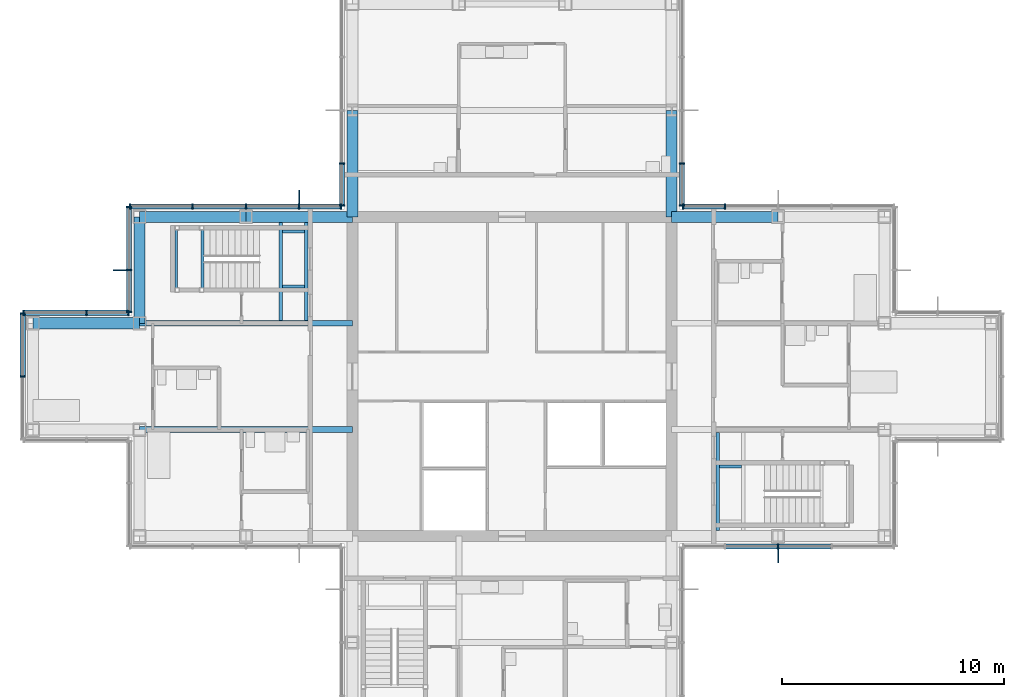
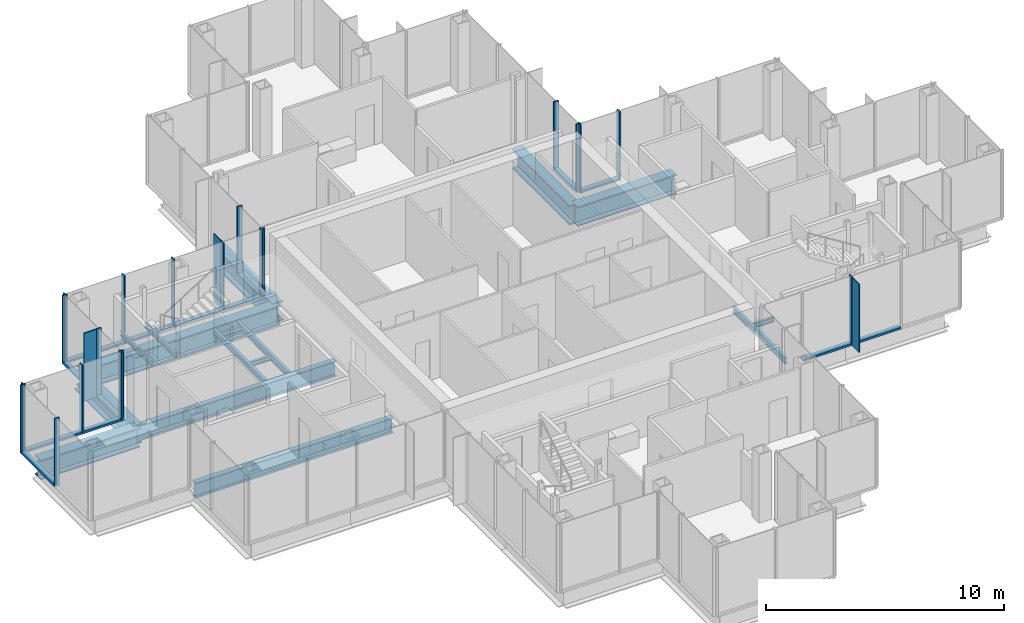
# One storey, part 7 of 17: 37 members, 17 beams, 8 elements without a shape of their own.
"""IFC4 building model written with IfcOpenShell, lengths in metres."""

import ifcopenshell
import ifcopenshell.guid

model = None  # the IFC model being written
_history = None  # IfcOwnerHistory: only IFC2X3 demands one
_inside = {}  # id of a spatial element -> (the spatial element, [elements in it])
_under = {}  # id of a project, library or spatial element -> (it, [spatial elements below it])
_declared = {}  # id of a project -> (the project, [libraries it declares])
_typed = {}  # id of a type object -> (the type object, [elements of that type])
_made_of = {}  # id of a material, layer set ... -> (it, [elements and type objects made of it])


def new_model(schema):
    """Start an empty IFC model of exactly this schema.

    Asked for "IFC4X3", IfcOpenShell would pick the latest addendum, in which some entities
    have other attributes; the version numbers below select the first issue.
    IFC2X3 requires an IfcOwnerHistory on every rooted entity: one is made here for all.
    """
    global model, _history
    if schema == "IFC4X3":
        model = ifcopenshell.file(schema_version=(4, 3, 0, 0))
    else:
        model = ifcopenshell.file(schema=schema)
    _inside.clear()
    _under.clear()
    _declared.clear()
    _typed.clear()
    _made_of.clear()
    _history = None
    if model.schema == "IFC2X3":
        org = make("IfcOrganization", Name="unknown")
        user = make(
            "IfcPersonAndOrganization",
            ThePerson=make("IfcPerson", FamilyName="unknown"),
            TheOrganization=org,
        )
        app = make(
            "IfcApplication",
            ApplicationDeveloper=org,
            Version="unknown",
            ApplicationFullName="unknown",
            ApplicationIdentifier="unknown",
        )
        _history = make(
            "IfcOwnerHistory",
            OwningUser=user,
            OwningApplication=app,
            ChangeAction="ADDED",
            CreationDate=0,
        )
    return model


def make(cls, **values):
    """One entity of the class cls with the attributes given. An attribute that is None is left unset."""
    return model.create_entity(
        cls, **{name: value for name, value in values.items() if value is not None}
    )


def rooted(cls, **values):
    """An entity with a GlobalId (a new one), such as an element, a storey or a relation."""
    return make(cls, GlobalId=ifcopenshell.guid.new(), OwnerHistory=_history, **values)


def si_unit(unit_type, name, prefix=None):
    """IfcSIUnit, for example si_unit("LENGTHUNIT", "METRE", prefix="MILLI")."""
    return make("IfcSIUnit", UnitType=unit_type, Prefix=prefix, Name=name)


def assignment(units):
    """IfcUnitAssignment: the units of a project."""
    return None if units is None else make("IfcUnitAssignment", Units=units)


def point(xyz):
    """IfcCartesianPoint."""
    return None if xyz is None else make("IfcCartesianPoint", Coordinates=xyz)


def direction(xyz):
    """IfcDirection."""
    return None if xyz is None else make("IfcDirection", DirectionRatios=xyz)


def frame(location, z_axis=None, x_axis=None):
    """IfcAxis2Placement3D, a coordinate frame: its origin and axes. An axis left out is left unset."""
    return make(
        "IfcAxis2Placement3D",
        Location=point(location),
        Axis=direction(z_axis),
        RefDirection=direction(x_axis),
    )


def frame_2d(location, x_axis=None):
    """IfcAxis2Placement2D, a coordinate frame in the plane: its origin and x axis."""
    return make(
        "IfcAxis2Placement2D", Location=point(location), RefDirection=direction(x_axis)
    )


def origin():
    """The frame at (0, 0, 0) with its axes left unset."""
    return frame((0.0, 0.0, 0.0))


def origin_2d():
    """The frame at (0, 0) in the plane with its x axis left unset."""
    return frame_2d((0.0, 0.0))


def place(relative_to, where):
    """IfcLocalPlacement: puts the frame where relative to a parent placement (None: the world)."""
    return make(
        "IfcLocalPlacement", PlacementRelTo=relative_to, RelativePlacement=where
    )


def context(
    kind, dimensions, precision=None, world=None, true_north=None, identifier=None
):
    """IfcGeometricRepresentationContext, for example the 3D "Model" context."""
    return make(
        "IfcGeometricRepresentationContext",
        ContextIdentifier=identifier,
        ContextType=kind,
        CoordinateSpaceDimension=dimensions,
        Precision=precision,
        WorldCoordinateSystem=world,
        TrueNorth=true_north,
    )


def subcontext(parent, identifier, kind, view, scale=None):
    """IfcGeometricRepresentationSubContext, for example "Body" below "Model"."""
    return make(
        "IfcGeometricRepresentationSubContext",
        ContextIdentifier=identifier,
        ContextType=kind,
        ParentContext=parent,
        TargetScale=scale,
        TargetView=view,
    )


def project(units=None, contexts=None):
    """IfcProject with its units and contexts."""
    return rooted(
        "IfcProject",
        Name="project",
        RepresentationContexts=contexts,
        UnitsInContext=assignment(units),
    )


def spatial(cls, under=None, at=None, **own):
    """A site, building, storey or space (cls), placed at a placement, below another one or the project."""
    s = rooted(cls, ObjectPlacement=at, **own)
    if under is not None:
        _under.setdefault(under.id(), (under, []))[1].append(s)
    return s


def profile(cls, at=None, kind="AREA", **sizes):
    """A parametric profile (cls). Its sizes go by their IFC names, for example OverallWidth=200.0."""
    return make(cls, ProfileType=kind, Position=at, **sizes)


def rectangle(**sizes):
    """IfcRectangleProfileDef."""
    return profile("IfcRectangleProfileDef", **sizes)


def i_section(**sizes):
    """IfcIShapeProfileDef."""
    return profile("IfcIShapeProfileDef", **sizes)


def extrude(swept, where, along, depth):
    """IfcExtrudedAreaSolid: the profile swept, set in the frame where, extruded along a direction by depth."""
    return make(
        "IfcExtrudedAreaSolid",
        SweptArea=swept,
        Position=where,
        ExtrudedDirection=direction(along),
        Depth=depth,
    )


def shape(context_of_items, identifier, shape_type, items):
    """IfcShapeRepresentation: the items that make up one representation, for example the "Body"."""
    return make(
        "IfcShapeRepresentation",
        ContextOfItems=context_of_items,
        RepresentationIdentifier=identifier,
        RepresentationType=shape_type,
        Items=items,
    )


def material(Name=None, Category=None):
    """IfcMaterial."""
    return make("IfcMaterial", Name=Name, Category=Category)


def material_profile(
    of_material, cross_section, Name=None, Category=None, Priority=None
):
    """IfcMaterialProfile: a cross section and its material."""
    return make(
        "IfcMaterialProfile",
        Name=Name,
        Material=of_material,
        Profile=cross_section,
        Priority=Priority,
        Category=Category,
    )


def profile_set(profiles, Name=None, composite=None):
    """IfcMaterialProfileSet."""
    return make(
        "IfcMaterialProfileSet",
        Name=Name,
        MaterialProfiles=profiles,
        CompositeProfile=composite,
    )


def made_of(thing, what):
    """Note that an element or type object is made of a material, layer set ...; save() writes the relation."""
    if what is not None:
        _made_of.setdefault(what.id(), (what, []))[1].append(thing)
    return thing


def type_object(cls, material=None, **own):
    """A type object (cls), such as IfcWallType, which elements share."""
    return made_of(rooted(cls, **own), material)


def element(
    cls,
    number,
    at=None,
    inside=None,
    cuts=None,
    type_object=None,
    material=None,
    context=None,
    identifier="Body",
    shape_type=None,
    held_by="IfcProductDefinitionShape",
    body=None,
    shapes=None,
    **own,
):
    """One element of the class cls, such as IfcWall. Its Tag is "e" and its number.

    at: its placement. inside: the storey or other place that contains it. cuts: it is an
    opening in that element (IfcRelVoidsElement). A single representation is given by context,
    identifier, shape_type and body (its items); several are given by shapes. held_by: the class
    of the entity that holds the representations. save() writes the other relations.
    """
    e = rooted(cls, Tag="e%d" % number, ObjectPlacement=at, **own)
    if body is not None:
        shapes = [shape(context, identifier, shape_type, body)]
    if shapes is not None:
        e.Representation = make(held_by, Representations=shapes)
    if inside is not None:
        _inside.setdefault(inside.id(), (inside, []))[1].append(e)
    if cuts is not None:
        rooted(
            "IfcRelVoidsElement", RelatingBuildingElement=cuts, RelatedOpeningElement=e
        )
    if type_object is not None:
        _typed.setdefault(type_object.id(), (type_object, []))[1].append(e)
    return made_of(e, material)


def aggregate(whole, parts):
    """IfcRelAggregates: a whole, such as a stair, and the parts it consists of."""
    return rooted("IfcRelAggregates", RelatingObject=whole, RelatedObjects=parts)


def save(model, path):
    """Write the relations noted so far, then the file.

    IfcRelAggregates (storeys below a building ...), IfcRelContainedInSpatialStructure (elements
    in a storey), IfcRelDefinesByType, IfcRelAssociatesMaterial and IfcRelDeclares: one each for
    every whole, place, type object, material and project.
    """
    for whole, parts in _under.values():
        aggregate(whole, parts)
    for where, things in _inside.values():
        rooted(
            "IfcRelContainedInSpatialStructure",
            RelatedElements=things,
            RelatingStructure=where,
        )
    for kind, things in _typed.values():
        rooted("IfcRelDefinesByType", RelatedObjects=things, RelatingType=kind)
    for what, things in _made_of.values():
        rooted("IfcRelAssociatesMaterial", RelatedObjects=things, RelatingMaterial=what)
    for by, libraries in _declared.values():
        rooted("IfcRelDeclares", RelatingContext=by, RelatedDefinitions=libraries)
    model.write(path)


model = new_model("IFC4")

# Units and contexts
model_context = context("Model", 3, precision=1e-05, world=origin(), true_north=direction((0.0, 1.0)))
body_context = subcontext(model_context, "Body", "Model", "MODEL_VIEW")
ifc_project = project(units=[si_unit("LENGTHUNIT", "METRE"), si_unit("AREAUNIT", "SQUARE_METRE"), si_unit("VOLUMEUNIT", "CUBIC_METRE"), si_unit("PLANEANGLEUNIT", "RADIAN"), si_unit("MASSUNIT", "GRAM", prefix="KILO")], contexts=[model_context])

# Site, building, storey
site_placement = place(None, origin())
site = spatial("IfcSite", under=ifc_project, at=site_placement, CompositionType="ELEMENT")
building_placement = place(site_placement, origin())
building = spatial("IfcBuilding", under=site, at=building_placement, Name="Kvirike Care Tower", CompositionType="ELEMENT")
storey_placement = place(building_placement, frame((0.0, 0.0, 158.5)))
storey = spatial("IfcBuildingStorey", under=building, at=storey_placement, Name="L43", CompositionType="ELEMENT", Elevation=158.5)

# Curtain wall, member
ifc_material_1 = material(Name="Anodised aluminium stick system", Category="aluminium")
curtain_wall_type = type_object("IfcCurtainWallType", Name="CW-C STICK CURTAIN WALL", PredefinedType="NOTDEFINED", material=ifc_material_1)
curtain_wall_1_placement = place(storey_placement, origin())
curtain_wall_1 = element("IfcCurtainWall", 1, at=curtain_wall_1_placement, inside=storey, type_object=curtain_wall_type, Name="Curtain wall L43 face 1", PredefinedType="NOTDEFINED")
ifc_material_2 = material(Name="Bronze anodised aluminium fin", Category="aluminium")
ifc_material_profile_1 = material_profile(ifc_material_2, rectangle(XDim=0.050048828125, YDim=0.60009765625, at=origin_2d()), Name="BRONZE FIN 600")
ifc_profile_set_1 = profile_set([ifc_material_profile_1], Name="Bronze anodised aluminium fin")
member_type_1 = type_object("IfcMemberType", Name="BRONZE FIN 600", PredefinedType="USERDEFINED", material=ifc_profile_set_1)
member_1_placement = place(storey_placement, frame((33.60009765625, 27.909912109375, 0.0), z_axis=(0.0, 0.0, 1.0), x_axis=(1.0, 0.0, 0.0)))
member_1 = element("IfcMember", 2, at=member_1_placement, type_object=member_type_1, Name="Bronze fin L43 face 1.3", ObjectType="FIN", PredefinedType="USERDEFINED", context=body_context, shape_type="SweptSolid", body=[
    extrude(rectangle(XDim=0.050048828125, YDim=0.60009765625, at=origin_2d()), origin(), (0.0, 0.0, 1.0), 3.5),
])

curtain_wall_2_placement = place(storey_placement, origin())
curtain_wall_2 = element("IfcCurtainWall", 3, at=curtain_wall_2_placement, inside=storey, type_object=curtain_wall_type, Name="Curtain wall L43 face 15", PredefinedType="NOTDEFINED")
member_2_placement = place(storey_placement, frame((12.0, 44.090087890625, 0.0), z_axis=(0.0, 0.0, 1.0), x_axis=(-1.0, 0.0, 0.0)))
member_2 = element("IfcMember", 4, at=member_2_placement, type_object=member_type_1, Name="Bronze fin L43 face 15.2", ObjectType="FIN", PredefinedType="USERDEFINED", context=body_context, shape_type="SweptSolid", body=[
    extrude(rectangle(XDim=0.050048828125, YDim=0.60009765625, at=origin_2d()), origin(), (0.0, 0.0, 1.0), 3.5),
])

curtain_wall_3_placement = place(storey_placement, origin())
curtain_wall_3 = element("IfcCurtainWall", 5, at=curtain_wall_3_placement, inside=storey, type_object=curtain_wall_type, Name="Curtain wall L43 face 16", PredefinedType="NOTDEFINED")
member_3_placement = place(storey_placement, frame((3.909912109375, 40.800048828125, 0.0), z_axis=(0.0, 0.0, 1.0), x_axis=(0.0, -1.0, 0.0)))
member_3 = element("IfcMember", 6, at=member_3_placement, type_object=member_type_1, Name="Bronze fin L43 face 16.2", ObjectType="FIN", PredefinedType="USERDEFINED", context=body_context, shape_type="SweptSolid", body=[
    extrude(rectangle(XDim=0.050048828125, YDim=0.60009765625, at=origin_2d()), origin(), (0.0, 0.0, 1.0), 3.5),
])

# Member
ifc_material_3 = material(Name="Bronze anodised aluminium mullion", Category="aluminium")
ifc_material_profile_2 = material_profile(ifc_material_3, rectangle(XDim=0.06494140625, YDim=0.239990234375, at=origin_2d()), Name="CW-C MULLION 65x240")
ifc_profile_set_2 = profile_set([ifc_material_profile_2], Name="Bronze anodised aluminium mullion")
member_type_2 = type_object("IfcMemberType", Name="CW-C MULLION 65x240", PredefinedType="MULLION", material=ifc_profile_set_2)
member_4_placement = place(storey_placement, frame((33.60009765625, 28.330078125, 0.0), z_axis=(0.0, 0.0, 1.0), x_axis=(1.0, 0.0, 0.0)))
member_4 = element("IfcMember", 7, at=member_4_placement, type_object=member_type_2, Name="CW-C mullion L43 face 1.3", PredefinedType="MULLION", context=body_context, shape_type="SweptSolid", body=[
    extrude(rectangle(XDim=0.06494140625, YDim=0.239990234375, at=origin_2d()), origin(), (0.0, 0.0, 1.0), 3.5),
])

# Curtain wall, members
curtain_wall_4_placement = place(storey_placement, origin())
curtain_wall_4 = element("IfcCurtainWall", 8, at=curtain_wall_4_placement, inside=storey, type_object=curtain_wall_type, Name="Curtain wall L43 face 7", PredefinedType="NOTDEFINED")
member_5_placement = place(storey_placement, frame((31.199951171875, 43.669921875, 0.0), z_axis=(0.0, 0.0, 1.0), x_axis=(-1.0, 0.0, 0.0)))
member_5 = element("IfcMember", 9, at=member_5_placement, type_object=member_type_2, Name="CW-C mullion L43 face 7.4", PredefinedType="MULLION", context=body_context, shape_type="SweptSolid", body=[
    extrude(rectangle(XDim=0.06494140625, YDim=0.239990234375, at=origin_2d()), origin(), (0.0, 0.0, 1.0), 3.5),
])
member_6_placement = place(storey_placement, frame((29.302490234375, 43.669921875, 0.0), z_axis=(0.0, 0.0, 1.0), x_axis=(-1.0, 0.0, 0.0)))
member_6 = element("IfcMember", 10, at=member_6_placement, type_object=member_type_2, Name="CW-C mullion L43 face 7.5", PredefinedType="MULLION", context=body_context, shape_type="SweptSolid", body=[
    extrude(rectangle(XDim=0.06494140625, YDim=0.239990234375, at=origin_2d()), origin(), (0.0, 0.0, 1.0), 3.5),
])

curtain_wall_5_placement = place(storey_placement, origin())
curtain_wall_5 = element("IfcCurtainWall", 11, at=curtain_wall_5_placement, inside=storey, type_object=curtain_wall_type, Name="Curtain wall L43 face 8", PredefinedType="NOTDEFINED")
member_7_placement = place(storey_placement, frame((29.27001953125, 43.702392578125, 0.0), z_axis=(0.0, 0.0, 1.0), x_axis=(0.0, 1.0, 0.0)))
member_7 = element("IfcMember", 12, at=member_7_placement, type_object=member_type_2, Name="CW-C mullion L43 face 8.1", PredefinedType="MULLION", context=body_context, shape_type="SweptSolid", body=[
    extrude(rectangle(XDim=0.06494140625, YDim=0.239990234375, at=origin_2d()), origin(), (0.0, 0.0, 1.0), 3.5),
])
member_8_placement = place(storey_placement, frame((29.27001953125, 45.60009765625, 0.0), z_axis=(0.0, 0.0, 1.0), x_axis=(0.0, 1.0, 0.0)))
member_8 = element("IfcMember", 13, at=member_8_placement, type_object=member_type_2, Name="CW-C mullion L43 face 8.2", PredefinedType="MULLION", context=body_context, shape_type="SweptSolid", body=[
    extrude(rectangle(XDim=0.06494140625, YDim=0.239990234375, at=origin_2d()), origin(), (0.0, 0.0, 1.0), 3.5),
])

curtain_wall_6_placement = place(storey_placement, origin())
curtain_wall_6 = element("IfcCurtainWall", 14, at=curtain_wall_6_placement, inside=storey, type_object=curtain_wall_type, Name="Curtain wall L43 face 14", PredefinedType="NOTDEFINED")
member_9_placement = place(storey_placement, frame((13.929931640625, 45.60009765625, 0.0), z_axis=(0.0, 0.0, 1.0), x_axis=(0.0, -1.0, 0.0)))
member_9 = element("IfcMember", 15, at=member_9_placement, type_object=member_type_2, Name="CW-C mullion L43 face 14.4", PredefinedType="MULLION", context=body_context, shape_type="SweptSolid", body=[
    extrude(rectangle(XDim=0.06494140625, YDim=0.239990234375, at=origin_2d()), origin(), (0.0, 0.0, 1.0), 3.5),
])
member_10_placement = place(storey_placement, frame((13.929931640625, 43.702392578125, 0.0), z_axis=(0.0, 0.0, 1.0), x_axis=(0.0, -1.0, 0.0)))
member_10 = element("IfcMember", 16, at=member_10_placement, type_object=member_type_2, Name="CW-C mullion L43 face 14.5", PredefinedType="MULLION", context=body_context, shape_type="SweptSolid", body=[
    extrude(rectangle(XDim=0.06494140625, YDim=0.239990234375, at=origin_2d()), origin(), (0.0, 0.0, 1.0), 3.5),
])

# Member
member_11_placement = place(storey_placement, frame((13.8974609375, 43.669921875, 0.0), z_axis=(0.0, 0.0, 1.0), x_axis=(-1.0, 0.0, 0.0)))
member_11 = element("IfcMember", 17, at=member_11_placement, type_object=member_type_2, Name="CW-C mullion L43 face 15.1", PredefinedType="MULLION", context=body_context, shape_type="SweptSolid", body=[
    extrude(rectangle(XDim=0.06494140625, YDim=0.239990234375, at=origin_2d()), origin(), (0.0, 0.0, 1.0), 3.5),
])

member_12_placement = place(storey_placement, frame((12.0, 43.669921875, 0.0), z_axis=(0.0, 0.0, 1.0), x_axis=(-1.0, 0.0, 0.0)))
member_12 = element("IfcMember", 18, at=member_12_placement, type_object=member_type_2, Name="CW-C mullion L43 face 15.2", PredefinedType="MULLION", context=body_context, shape_type="SweptSolid", body=[
    extrude(rectangle(XDim=0.06494140625, YDim=0.239990234375, at=origin_2d()), origin(), (0.0, 0.0, 1.0), 3.5),
])

member_13_placement = place(storey_placement, frame((9.60009765625, 43.669921875, 0.0), z_axis=(0.0, 0.0, 1.0), x_axis=(-1.0, 0.0, 0.0)))
member_13 = element("IfcMember", 19, at=member_13_placement, type_object=member_type_2, Name="CW-C mullion L43 face 15.3", PredefinedType="MULLION", context=body_context, shape_type="SweptSolid", body=[
    extrude(rectangle(XDim=0.06494140625, YDim=0.239990234375, at=origin_2d()), origin(), (0.0, 0.0, 1.0), 3.5),
])

member_14_placement = place(storey_placement, frame((7.199951171875, 43.669921875, 0.0), z_axis=(0.0, 0.0, 1.0), x_axis=(-1.0, 0.0, 0.0)))
member_14 = element("IfcMember", 20, at=member_14_placement, type_object=member_type_2, Name="CW-C mullion L43 face 15.4", PredefinedType="MULLION", context=body_context, shape_type="SweptSolid", body=[
    extrude(rectangle(XDim=0.06494140625, YDim=0.239990234375, at=origin_2d()), origin(), (0.0, 0.0, 1.0), 3.5),
])

member_15_placement = place(storey_placement, frame((4.362548828125, 43.669921875, 0.0), z_axis=(0.0, 0.0, 1.0), x_axis=(-1.0, 0.0, 0.0)))
member_15 = element("IfcMember", 21, at=member_15_placement, type_object=member_type_2, Name="CW-C mullion L43 face 15.5", PredefinedType="MULLION", context=body_context, shape_type="SweptSolid", body=[
    extrude(rectangle(XDim=0.06494140625, YDim=0.239990234375, at=origin_2d()), origin(), (0.0, 0.0, 1.0), 3.5),
])

member_16_placement = place(storey_placement, frame((4.330078125, 43.637451171875, 0.0), z_axis=(0.0, 0.0, 1.0), x_axis=(0.0, -1.0, 0.0)))
member_16 = element("IfcMember", 22, at=member_16_placement, type_object=member_type_2, Name="CW-C mullion L43 face 16.1", PredefinedType="MULLION", context=body_context, shape_type="SweptSolid", body=[
    extrude(rectangle(XDim=0.06494140625, YDim=0.239990234375, at=origin_2d()), origin(), (0.0, 0.0, 1.0), 3.5),
])

member_17_placement = place(storey_placement, frame((4.330078125, 40.800048828125, 0.0), z_axis=(0.0, 0.0, 1.0), x_axis=(0.0, -1.0, 0.0)))
member_17 = element("IfcMember", 23, at=member_17_placement, type_object=member_type_2, Name="CW-C mullion L43 face 16.2", PredefinedType="MULLION", context=body_context, shape_type="SweptSolid", body=[
    extrude(rectangle(XDim=0.06494140625, YDim=0.239990234375, at=origin_2d()), origin(), (0.0, 0.0, 1.0), 3.5),
])

member_18_placement = place(storey_placement, frame((4.330078125, 38.902587890625, 0.0), z_axis=(0.0, 0.0, 1.0), x_axis=(0.0, -1.0, 0.0)))
member_18 = element("IfcMember", 24, at=member_18_placement, type_object=member_type_2, Name="CW-C mullion L43 face 16.3", PredefinedType="MULLION", context=body_context, shape_type="SweptSolid", body=[
    extrude(rectangle(XDim=0.06494140625, YDim=0.239990234375, at=origin_2d()), origin(), (0.0, 0.0, 1.0), 3.5),
])

# Curtain wall, members
curtain_wall_7_placement = place(storey_placement, origin())
curtain_wall_7 = element("IfcCurtainWall", 25, at=curtain_wall_7_placement, inside=storey, type_object=curtain_wall_type, Name="Curtain wall L43 face 17", PredefinedType="NOTDEFINED")
member_19_placement = place(storey_placement, frame((4.297607421875, 38.8701171875, 0.0), z_axis=(0.0, 0.0, 1.0), x_axis=(-1.0, 0.0, 0.0)))
member_19 = element("IfcMember", 26, at=member_19_placement, type_object=member_type_2, Name="CW-C mullion L43 face 17.1", PredefinedType="MULLION", context=body_context, shape_type="SweptSolid", body=[
    extrude(rectangle(XDim=0.06494140625, YDim=0.239990234375, at=origin_2d()), origin(), (0.0, 0.0, 1.0), 3.5),
])
member_20_placement = place(storey_placement, frame((2.39990234375, 38.8701171875, 0.0), z_axis=(0.0, 0.0, 1.0), x_axis=(-1.0, 0.0, 0.0)))
member_20 = element("IfcMember", 27, at=member_20_placement, type_object=member_type_2, Name="CW-C mullion L43 face 17.2", PredefinedType="MULLION", context=body_context, shape_type="SweptSolid", body=[
    extrude(rectangle(XDim=0.06494140625, YDim=0.239990234375, at=origin_2d()), origin(), (0.0, 0.0, 1.0), 3.5),
])
member_21_placement = place(storey_placement, frame((-0.4375, 38.8701171875, 0.0), z_axis=(0.0, 0.0, 1.0), x_axis=(-1.0, 0.0, 0.0)))
member_21 = element("IfcMember", 28, at=member_21_placement, type_object=member_type_2, Name="CW-C mullion L43 face 17.3", PredefinedType="MULLION", context=body_context, shape_type="SweptSolid", body=[
    extrude(rectangle(XDim=0.06494140625, YDim=0.239990234375, at=origin_2d()), origin(), (0.0, 0.0, 1.0), 3.5),
])

curtain_wall_8_placement = place(storey_placement, origin())
curtain_wall_8 = element("IfcCurtainWall", 29, at=curtain_wall_8_placement, inside=storey, type_object=curtain_wall_type, Name="Curtain wall L43 face 18", PredefinedType="NOTDEFINED")
member_22_placement = place(storey_placement, frame((-0.469970703125, 38.83740234375, 0.0), z_axis=(0.0, 0.0, 1.0), x_axis=(0.0, -1.0, 0.0)))
member_22 = element("IfcMember", 30, at=member_22_placement, type_object=member_type_2, Name="CW-C mullion L43 face 18.1", PredefinedType="MULLION", context=body_context, shape_type="SweptSolid", body=[
    extrude(rectangle(XDim=0.06494140625, YDim=0.239990234375, at=origin_2d()), origin(), (0.0, 0.0, 1.0), 3.5),
])
member_23_placement = place(storey_placement, frame((-0.469970703125, 36.0, 0.0), z_axis=(0.0, 0.0, 1.0), x_axis=(0.0, -1.0, 0.0)))
member_23 = element("IfcMember", 31, at=member_23_placement, type_object=member_type_2, Name="CW-C mullion L43 face 18.2", PredefinedType="MULLION", context=body_context, shape_type="SweptSolid", body=[
    extrude(rectangle(XDim=0.06494140625, YDim=0.239990234375, at=origin_2d()), origin(), (0.0, 0.0, 1.0), 3.5),
])

# Member
ifc_material_4 = material(Name="Bronze anodised aluminium transom", Category="aluminium")
ifc_material_profile_3 = material_profile(ifc_material_4, rectangle(XDim=0.239990234375, YDim=0.10009765625, at=origin_2d()), Name="CW-C TRANSOM 240x100")
ifc_profile_set_3 = profile_set([ifc_material_profile_3], Name="Bronze anodised aluminium transom")
member_type_3 = type_object("IfcMemberType", Name="CW-C TRANSOM 240x100", PredefinedType="USERDEFINED", material=ifc_profile_set_3)
member_24_placement = place(storey_placement, frame((31.232421875, 28.330078125, 0.050048828125), z_axis=(1.0, 0.0, 0.0), x_axis=(0.0, 1.0, 0.0)))
member_24 = element("IfcMember", 32, at=member_24_placement, type_object=member_type_3, Name="CW-C sill transom L43 face 1.2", ObjectType="TRANSOM", PredefinedType="USERDEFINED", context=body_context, shape_type="SweptSolid", body=[
    extrude(rectangle(XDim=0.239990234375, YDim=0.10009765625, at=origin_2d()), origin(), (0.0, 0.0, 1.0), 2.3349609375),
])

member_25_placement = place(storey_placement, frame((33.632568359375, 28.330078125, 0.050048828125), z_axis=(1.0, 0.0, 0.0), x_axis=(0.0, 1.0, 0.0)))
member_25 = element("IfcMember", 33, at=member_25_placement, type_object=member_type_3, Name="CW-C sill transom L43 face 1.3", ObjectType="TRANSOM", PredefinedType="USERDEFINED", context=body_context, shape_type="SweptSolid", body=[
    extrude(rectangle(XDim=0.239990234375, YDim=0.10009765625, at=origin_2d()), origin(), (0.0, 0.0, 1.0), 2.3349609375),
])

aggregate(curtain_wall_1, [member_4, member_1, member_24, member_25])

member_26_placement = place(storey_placement, frame((31.16748046875, 43.669921875, 0.050048828125), z_axis=(-1.0, 0.0, 0.0), x_axis=(0.0, -1.0, 0.0)))
member_26 = element("IfcMember", 34, at=member_26_placement, type_object=member_type_3, Name="CW-C sill transom L43 face 7.4", ObjectType="TRANSOM", PredefinedType="USERDEFINED", context=body_context, shape_type="SweptSolid", body=[
    extrude(rectangle(XDim=0.239990234375, YDim=0.10009765625, at=origin_2d()), origin(), (0.0, 0.0, 1.0), 1.83251953125),
])

aggregate(curtain_wall_4, [member_5, member_6, member_26])

member_27_placement = place(storey_placement, frame((29.27001953125, 43.735107421875, 0.050048828125), z_axis=(0.0, 1.0, 0.0), x_axis=(-1.0, 0.0, 0.0)))
member_27 = element("IfcMember", 35, at=member_27_placement, type_object=member_type_3, Name="CW-C sill transom L43 face 8.1", ObjectType="TRANSOM", PredefinedType="USERDEFINED", context=body_context, shape_type="SweptSolid", body=[
    extrude(rectangle(XDim=0.239990234375, YDim=0.10009765625, at=origin_2d()), origin(), (0.0, 0.0, 1.0), 1.832275390625),
])

aggregate(curtain_wall_5, [member_7, member_8, member_27])

member_28_placement = place(storey_placement, frame((13.929931640625, 45.5673828125, 0.050048828125), z_axis=(0.0, -1.0, 0.0), x_axis=(1.0, 0.0, 0.0)))
member_28 = element("IfcMember", 36, at=member_28_placement, type_object=member_type_3, Name="CW-C sill transom L43 face 14.4", ObjectType="TRANSOM", PredefinedType="USERDEFINED", context=body_context, shape_type="SweptSolid", body=[
    extrude(rectangle(XDim=0.239990234375, YDim=0.10009765625, at=origin_2d()), origin(), (0.0, 0.0, 1.0), 1.832275390625),
])

aggregate(curtain_wall_6, [member_9, member_10, member_28])

member_29_placement = place(storey_placement, frame((13.864990234375, 43.669921875, 0.050048828125), z_axis=(-1.0, 0.0, 0.0), x_axis=(0.0, -1.0, 0.0)))
member_29 = element("IfcMember", 37, at=member_29_placement, type_object=member_type_3, Name="CW-C sill transom L43 face 15.1", ObjectType="TRANSOM", PredefinedType="USERDEFINED", context=body_context, shape_type="SweptSolid", body=[
    extrude(rectangle(XDim=0.239990234375, YDim=0.10009765625, at=origin_2d()), origin(), (0.0, 0.0, 1.0), 1.83251953125),
])

member_30_placement = place(storey_placement, frame((11.967529296875, 43.669921875, 0.050048828125), z_axis=(-1.0, 0.0, 0.0), x_axis=(0.0, -1.0, 0.0)))
member_30 = element("IfcMember", 38, at=member_30_placement, type_object=member_type_3, Name="CW-C sill transom L43 face 15.2", ObjectType="TRANSOM", PredefinedType="USERDEFINED", context=body_context, shape_type="SweptSolid", body=[
    extrude(rectangle(XDim=0.239990234375, YDim=0.10009765625, at=origin_2d()), origin(), (0.0, 0.0, 1.0), 2.3349609375),
])

member_31_placement = place(storey_placement, frame((9.5673828125, 43.669921875, 0.050048828125), z_axis=(-1.0, 0.0, 0.0), x_axis=(0.0, -1.0, 0.0)))
member_31 = element("IfcMember", 39, at=member_31_placement, type_object=member_type_3, Name="CW-C sill transom L43 face 15.3", ObjectType="TRANSOM", PredefinedType="USERDEFINED", context=body_context, shape_type="SweptSolid", body=[
    extrude(rectangle(XDim=0.239990234375, YDim=0.10009765625, at=origin_2d()), origin(), (0.0, 0.0, 1.0), 2.3349609375),
])

member_32_placement = place(storey_placement, frame((7.16748046875, 43.669921875, 0.050048828125), z_axis=(-1.0, 0.0, 0.0), x_axis=(0.0, -1.0, 0.0)))
member_32 = element("IfcMember", 40, at=member_32_placement, type_object=member_type_3, Name="CW-C sill transom L43 face 15.4", ObjectType="TRANSOM", PredefinedType="USERDEFINED", context=body_context, shape_type="SweptSolid", body=[
    extrude(rectangle(XDim=0.239990234375, YDim=0.10009765625, at=origin_2d()), origin(), (0.0, 0.0, 1.0), 2.7724609375),
])

aggregate(curtain_wall_2, [member_11, member_12, member_2, member_13, member_14, member_15, member_29, member_30, member_31, member_32])

member_33_placement = place(storey_placement, frame((4.330078125, 43.60498046875, 0.050048828125), z_axis=(0.0, -1.0, 0.0), x_axis=(1.0, 0.0, 0.0)))
member_33 = element("IfcMember", 41, at=member_33_placement, type_object=member_type_3, Name="CW-C sill transom L43 face 16.1", ObjectType="TRANSOM", PredefinedType="USERDEFINED", context=body_context, shape_type="SweptSolid", body=[
    extrude(rectangle(XDim=0.239990234375, YDim=0.10009765625, at=origin_2d()), origin(), (0.0, 0.0, 1.0), 2.7724609375),
])

member_34_placement = place(storey_placement, frame((4.330078125, 40.767578125, 0.050048828125), z_axis=(0.0, -1.0, 0.0), x_axis=(1.0, 0.0, 0.0)))
member_34 = element("IfcMember", 42, at=member_34_placement, type_object=member_type_3, Name="CW-C sill transom L43 face 16.2", ObjectType="TRANSOM", PredefinedType="USERDEFINED", context=body_context, shape_type="SweptSolid", body=[
    extrude(rectangle(XDim=0.239990234375, YDim=0.10009765625, at=origin_2d()), origin(), (0.0, 0.0, 1.0), 1.83251953125),
])

aggregate(curtain_wall_3, [member_16, member_17, member_3, member_18, member_33, member_34])

member_35_placement = place(storey_placement, frame((4.264892578125, 38.8701171875, 0.050048828125), z_axis=(-1.0, 0.0, 0.0), x_axis=(0.0, -1.0, 0.0)))
member_35 = element("IfcMember", 43, at=member_35_placement, type_object=member_type_3, Name="CW-C sill transom L43 face 17.1", ObjectType="TRANSOM", PredefinedType="USERDEFINED", context=body_context, shape_type="SweptSolid", body=[
    extrude(rectangle(XDim=0.239990234375, YDim=0.10009765625, at=origin_2d()), origin(), (0.0, 0.0, 1.0), 1.832275390625),
])

member_36_placement = place(storey_placement, frame((2.367431640625, 38.8701171875, 0.050048828125), z_axis=(-1.0, 0.0, 0.0), x_axis=(0.0, -1.0, 0.0)))
member_36 = element("IfcMember", 44, at=member_36_placement, type_object=member_type_3, Name="CW-C sill transom L43 face 17.2", ObjectType="TRANSOM", PredefinedType="USERDEFINED", context=body_context, shape_type="SweptSolid", body=[
    extrude(rectangle(XDim=0.239990234375, YDim=0.10009765625, at=origin_2d()), origin(), (0.0, 0.0, 1.0), 2.7724609375),
])

aggregate(curtain_wall_7, [member_19, member_20, member_21, member_35, member_36])

member_37_placement = place(storey_placement, frame((-0.469970703125, 38.804931640625, 0.050048828125), z_axis=(0.0, -1.0, 0.0), x_axis=(1.0, 0.0, 0.0)))
member_37 = element("IfcMember", 45, at=member_37_placement, type_object=member_type_3, Name="CW-C sill transom L43 face 18.1", ObjectType="TRANSOM", PredefinedType="USERDEFINED", context=body_context, shape_type="SweptSolid", body=[
    extrude(rectangle(XDim=0.239990234375, YDim=0.10009765625, at=origin_2d()), origin(), (0.0, 0.0, 1.0), 2.7724609375),
])

aggregate(curtain_wall_8, [member_22, member_23, member_37])

# Beams
ifc_material_5 = material(Name="Steel S355", Category="steel")
ifc_material_profile_4 = material_profile(ifc_material_5, i_section(OverallWidth=0.26806640625, OverallDepth=0.77001953125, WebThickness=0.015625, FlangeThickness=0.025390625, FilletRadius=0.01708984375, at=origin_2d()), Name="IPE 750x196")
ifc_profile_set_4 = profile_set([ifc_material_profile_4], Name="Steel S355")
beam_type_1 = type_object("IfcBeamType", Name="FLOOR BEAM IPE 750x196", PredefinedType="BEAM", material=ifc_profile_set_4)
for number, where, z_axis, x_axis, name in (
    (46, (4.800048828125, 33.60009765625, -0.554931640625), (1.0, 0.0, 0.0), (0.0, 1.0, 0.0), "Floor Beam H4-H6 L43"),
    (47, (4.800048828125, 38.39990234375, -0.554931640625), (1.0, 0.0, 0.0), (0.0, 1.0, 0.0), "Floor Beam J4-J6 L43"),
):
    element("IfcBeam", number, at=place(storey_placement, frame(where, z_axis=z_axis, x_axis=x_axis)), inside=storey, type_object=beam_type_1, Name=name, PredefinedType="BEAM", context=body_context, shape_type="SweptSolid", body=[
        extrude(i_section(OverallWidth=0.26806640625, OverallDepth=0.77001953125, WebThickness=0.015625, FlangeThickness=0.025390625, FilletRadius=0.01708984375, at=origin_2d()), origin(), (0.0, 0.0, 1.0), 9.599853515625),
    ])
ifc_material_6 = material(Name="Steel S355", Category="steel")
ifc_material_profile_5 = material_profile(ifc_material_6, i_section(OverallWidth=0.5, OverallDepth=1.0, WebThickness=0.030029296875, FlangeThickness=0.06005859375, at=origin_2d()), Name="PG 1000x500x30x60")
ifc_profile_set_5 = profile_set([ifc_material_profile_5], Name="Steel S355")
beam_type_2 = type_object("IfcBeamType", Name="SPANDREL PG 1000x500x30x60", PredefinedType="SPANDREL", material=ifc_profile_set_5)
for number, where, z_axis, x_axis, name in (
    (48, (0.0, 38.39990234375, -0.669921875), (1.0, 0.0, 0.0), (0.0, 1.0, 0.0), "Spandrel J3-J4 L43"),
    (49, (4.800048828125, 43.199951171875, -0.669921875), (1.0, 0.0, 0.0), (0.0, 1.0, 0.0), "Spandrel K4-K5 L43"),
):
    element("IfcBeam", number, at=place(storey_placement, frame(where, z_axis=z_axis, x_axis=x_axis)), inside=storey, type_object=beam_type_2, Name=name, PredefinedType="SPANDREL", context=body_context, shape_type="SweptSolid", body=[
        extrude(i_section(OverallWidth=0.5, OverallDepth=1.0, WebThickness=0.030029296875, FlangeThickness=0.06005859375, at=origin_2d()), origin(), (0.0, 0.0, 1.0), 4.800048828125),
    ])
beam_placement = place(storey_placement, frame((9.60009765625, 43.199951171875, -0.669921875), z_axis=(1.0, 0.0, 0.0), x_axis=(0.0, 1.0, 0.0)))
element("IfcBeam", 50, at=beam_placement, inside=storey, type_object=beam_type_2, Name="Spandrel K5-K6 L43", PredefinedType="SPANDREL", context=body_context, shape_type="SweptSolid", body=[
    extrude(i_section(OverallWidth=0.5, OverallDepth=1.0, WebThickness=0.030029296875, FlangeThickness=0.06005859375, at=origin_2d()), origin(), (0.0, 0.0, 1.0), 4.7998046875),
])
for number, where, z_axis, x_axis, name in (
    (51, (28.800048828125, 43.199951171875, -0.669921875), (1.0, 0.0, 0.0), (0.0, 1.0, 0.0), "Spandrel K9-K10 L43"),
    (52, (4.800048828125, 38.39990234375, -0.669921875), (0.0, 1.0, 0.0), (-1.0, 0.0, 0.0), "Spandrel J4-K4 L43"),
    (53, (14.39990234375, 43.199951171875, -0.669921875), (0.0, 1.0, 0.0), (-1.0, 0.0, 0.0), "Spandrel K6-L6 L43"),
    (54, (28.800048828125, 43.199951171875, -0.669921875), (0.0, 1.0, 0.0), (-1.0, 0.0, 0.0), "Spandrel K9-L9 L43"),
):
    element("IfcBeam", number, at=place(storey_placement, frame(where, z_axis=z_axis, x_axis=x_axis)), inside=storey, type_object=beam_type_2, Name=name, PredefinedType="SPANDREL", context=body_context, shape_type="SweptSolid", body=[
        extrude(i_section(OverallWidth=0.5, OverallDepth=1.0, WebThickness=0.030029296875, FlangeThickness=0.06005859375, at=origin_2d()), origin(), (0.0, 0.0, 1.0), 4.800048828125),
    ])
ifc_material_7 = material(Name="Steel S355", Category="steel")
ifc_material_profile_6 = material_profile(ifc_material_7, i_section(OverallWidth=0.1201171875, OverallDepth=0.239990234375, WebThickness=0.006103515625, FlangeThickness=0.009765625, FilletRadius=0.014892578125, at=origin_2d()), Name="IPE 240")
ifc_profile_set_6 = profile_set([ifc_material_profile_6], Name="Steel S355")
beam_type_3 = type_object("IfcBeamType", Name="STAIR LANDING BEAM IPE 240", PredefinedType="BEAM", material=ifc_profile_set_6)
for number, where, z_axis, x_axis, name in (
    (55, (6.4599609375, 42.60009765625, 1.429931640625), (0.0, -1.0, 0.0), (1.0, 0.0, 0.0), "Stair 1 landing beam back L43"),
    (56, (7.639892578125, 42.60009765625, 1.429931640625), (0.0, -1.0, 0.0), (1.0, 0.0, 0.0), "Stair 1 landing beam front L43"),
):
    element("IfcBeam", number, at=place(storey_placement, frame(where, z_axis=z_axis, x_axis=x_axis)), inside=storey, type_object=beam_type_3, Name=name, PredefinedType="BEAM", context=body_context, shape_type="SweptSolid", body=[
        extrude(i_section(OverallWidth=0.1201171875, OverallDepth=0.239990234375, WebThickness=0.006103515625, FlangeThickness=0.009765625, FilletRadius=0.014892578125, at=origin_2d()), origin(), (0.0, 0.0, 1.0), 2.60009765625),
    ])
for number, where, z_axis, x_axis, name in (
    (57, (11.25, 42.5400390625, -0.320068359375), (1.0, 0.0, 0.0), (0.0, 1.0, 0.0), "Stair 1 landing edge beam 1 L43"),
    (58, (11.25, 40.06005859375, -0.320068359375), (1.0, 0.0, 0.0), (0.0, 1.0, 0.0), "Stair 1 landing edge beam 2 L43"),
    (59, (31.949951171875, 31.93994140625, -0.320068359375), (-1.0, 0.0, 0.0), (0.0, -1.0, 0.0), "Stair 2 landing edge beam 2 L43"),
):
    element("IfcBeam", number, at=place(storey_placement, frame(where, z_axis=z_axis, x_axis=x_axis)), inside=storey, type_object=beam_type_3, Name=name, PredefinedType="BEAM", context=body_context, shape_type="SweptSolid", body=[
        extrude(i_section(OverallWidth=0.1201171875, OverallDepth=0.239990234375, WebThickness=0.006103515625, FlangeThickness=0.009765625, FilletRadius=0.014892578125, at=origin_2d()), origin(), (0.0, 0.0, 1.0), 1.0),
    ])
ifc_material_8 = material(Name="Steel S355", Category="steel")
ifc_material_profile_7 = material_profile(ifc_material_8, i_section(OverallWidth=0.14990234375, OverallDepth=0.300048828125, WebThickness=0.007080078125, FlangeThickness=0.0107421875, FilletRadius=0.014892578125, at=origin_2d()), Name="IPE 300")
ifc_profile_set_7 = profile_set([ifc_material_profile_7], Name="Steel S355")
beam_type_4 = type_object("IfcBeamType", Name="STAIR TRIMMER IPE 300", PredefinedType="BEAM", material=ifc_profile_set_7)
for number, where, z_axis, x_axis, name in (
    (60, (11.175048828125, 42.949951171875, -0.35009765625), (0.0, -1.0, 0.0), (1.0, 0.0, 0.0), "Stair 1 trimmer 1 L43"),
    (61, (12.324951171875, 42.949951171875, -0.35009765625), (0.0, -1.0, 0.0), (1.0, 0.0, 0.0), "Stair 1 trimmer 2 L43"),
    (62, (30.875, 29.050048828125, -0.35009765625), (0.0, 1.0, 0.0), (-1.0, 0.0, 0.0), "Stair 2 trimmer 2 L43"),
):
    element("IfcBeam", number, at=place(storey_placement, frame(where, z_axis=z_axis, x_axis=x_axis)), inside=storey, type_object=beam_type_4, Name=name, PredefinedType="BEAM", context=body_context, shape_type="SweptSolid", body=[
        extrude(i_section(OverallWidth=0.14990234375, OverallDepth=0.300048828125, WebThickness=0.007080078125, FlangeThickness=0.0107421875, FilletRadius=0.014892578125, at=origin_2d()), origin(), (0.0, 0.0, 1.0), 4.416015625),
    ])

save(model, "model.ifc")
